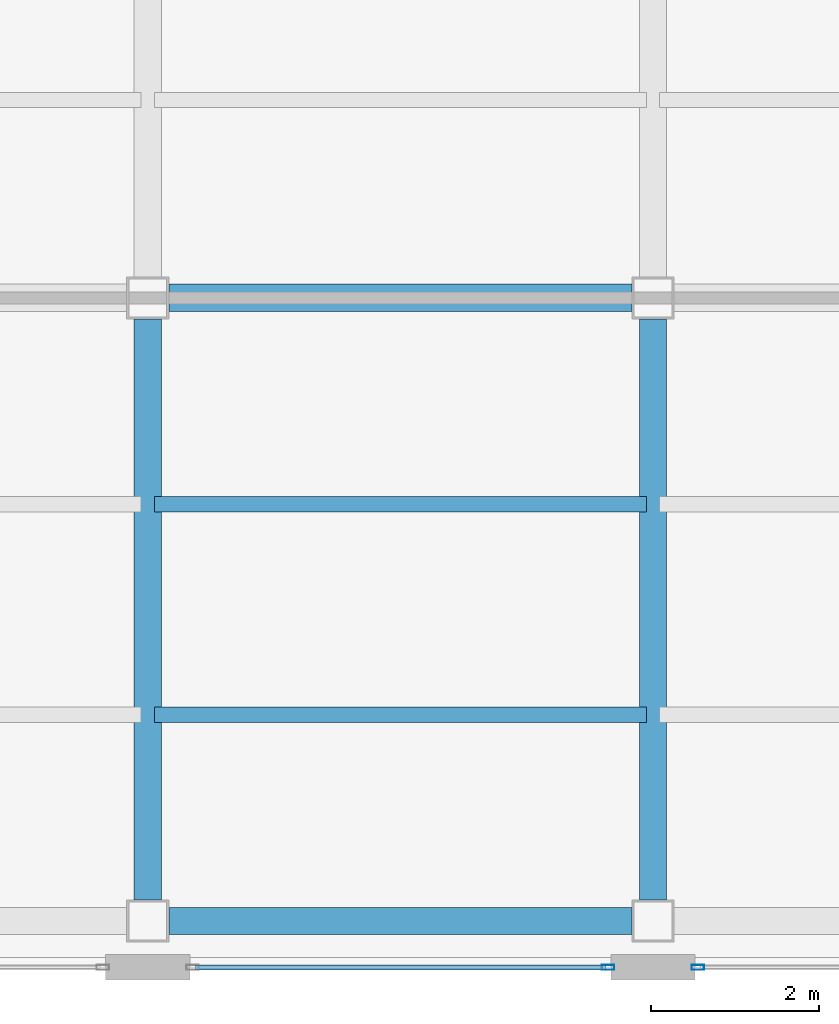
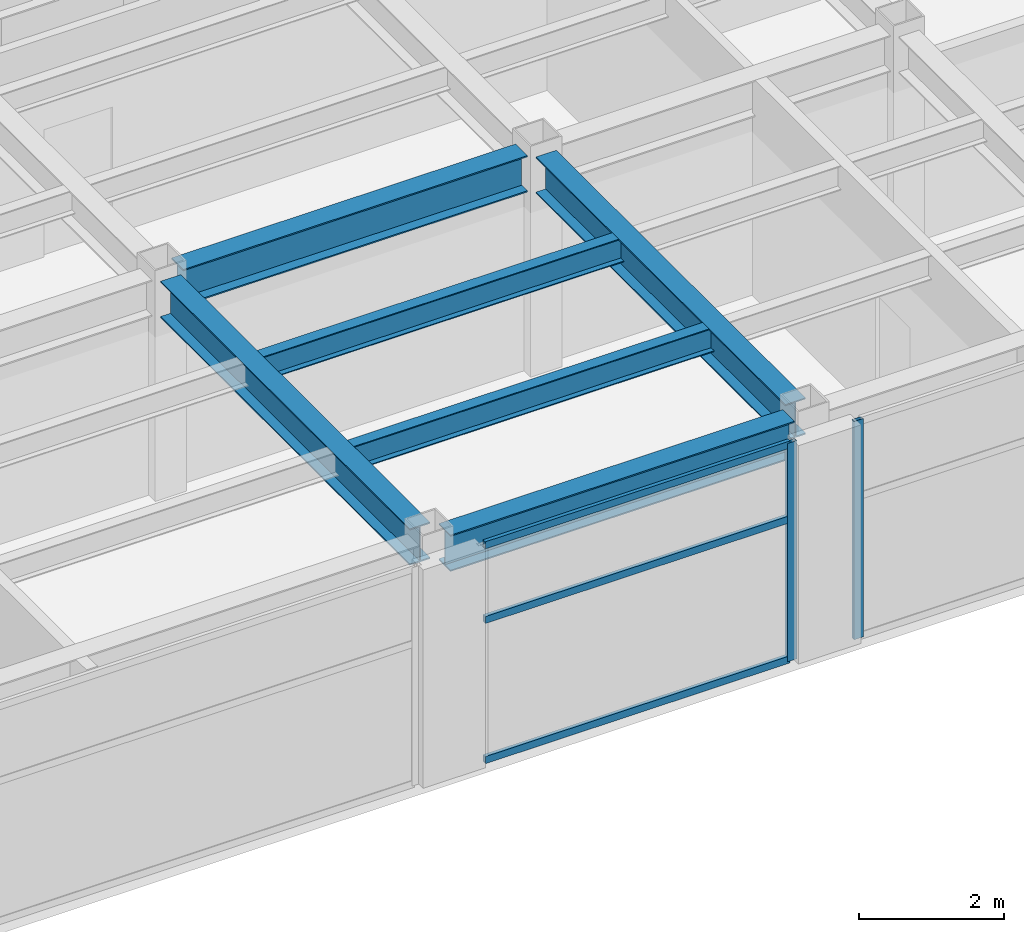
# One storey, part 5 of 15: 6 beams, 5 members, 2 elements without a shape of their own.
"""IFC4 building model written with IfcOpenShell, lengths in metres."""

from ifc_helpers import new_model, si_unit, direction, frame, origin, origin_2d, place, context, subcontext, project, spatial, hollow_rectangle, i_section, extrude, material, layer, layer_set, material_profile, profile_set, type_object, element, aggregate, save


model = new_model("IFC4")

# Units and contexts
model_context = context("Model", 3, precision=1e-05, world=origin(), true_north=direction((0.0, 1.0)))
body_context = subcontext(model_context, "Body", "Model", "MODEL_VIEW")
ifc_project = project(units=[si_unit("LENGTHUNIT", "METRE"), si_unit("AREAUNIT", "SQUARE_METRE"), si_unit("VOLUMEUNIT", "CUBIC_METRE"), si_unit("PLANEANGLEUNIT", "RADIAN"), si_unit("MASSUNIT", "GRAM", prefix="KILO")], contexts=[model_context])

# Site, building, storey
site_placement = place(None, origin())
site = spatial("IfcSite", under=ifc_project, at=site_placement, CompositionType="ELEMENT")
building_placement = place(site_placement, origin())
building = spatial("IfcBuilding", under=site, at=building_placement, Name="Mawjaban Terraces University", CompositionType="ELEMENT")
storey_placement = place(building_placement, frame((0.0, 0.0, 119.0)))
storey = spatial("IfcBuildingStorey", under=building, at=storey_placement, Name="L28", CompositionType="ELEMENT", Elevation=119.0)

# Beams
ifc_material_1 = material(Name="Steel ASTM A572 Grade 50", Category="steel")
ifc_material_profile_1 = material_profile(ifc_material_1, i_section(OverallWidth=0.324951171875, OverallDepth=0.615966796875, WebThickness=0.013916015625, FlangeThickness=0.021484375, at=origin_2d()), Name="W610X174")
ifc_profile_set_1 = profile_set([ifc_material_profile_1], Name="Steel ASTM A572 Grade 50")
beam_type_1 = type_object("IfcBeamType", Name="Beam_B_W610X174", PredefinedType="BEAM", material=ifc_profile_set_1)
for number, where, z_axis, x_axis, name in (
    (1, (46.25, 0.550048828125, 3.382080078125), (1.0, 0.0, 0.0), (0.0, 1.0, 0.0), "L28 Beam BM-L28-EW-02"),
    (2, (46.25, 7.949951171875, 3.382080078125), (1.0, 0.0, 0.0), (0.0, 1.0, 0.0), "L28 Beam BM-L28-EW-06"),
):
    element("IfcBeam", number, at=place(storey_placement, frame(where, z_axis=z_axis, x_axis=x_axis)), inside=storey, type_object=beam_type_1, Name=name, PredefinedType="BEAM", context=body_context, shape_type="SweptSolid", body=[
        extrude(i_section(OverallWidth=0.324951171875, OverallDepth=0.615966796875, WebThickness=0.013916015625, FlangeThickness=0.021484375, at=origin_2d()), origin(), (0.0, 0.0, 1.0), 5.5),
    ])
for number, where, z_axis, x_axis, name in (
    (3, (46.0, 0.800048828125, 3.382080078125), (0.0, 1.0, 0.0), (-1.0, 0.0, 0.0), "L28 Beam BM-L28-NS-12"),
    (4, (52.0, 0.800048828125, 3.382080078125), (0.0, 1.0, 0.0), (-1.0, 0.0, 0.0), "L28 Beam BM-L28-NS-14"),
):
    element("IfcBeam", number, at=place(storey_placement, frame(where, z_axis=z_axis, x_axis=x_axis)), inside=storey, type_object=beam_type_1, Name=name, PredefinedType="BEAM", context=body_context, shape_type="SweptSolid", body=[
        extrude(i_section(OverallWidth=0.324951171875, OverallDepth=0.615966796875, WebThickness=0.013916015625, FlangeThickness=0.021484375, at=origin_2d()), origin(), (0.0, 0.0, 1.0), 6.89990234375),
    ])
ifc_material_profile_2 = material_profile(ifc_material_1, i_section(OverallWidth=0.179931640625, OverallDepth=0.4130859375, WebThickness=0.009765625, FlangeThickness=0.01611328125, at=origin_2d()), Name="W410X74")
ifc_profile_set_2 = profile_set([ifc_material_profile_2], Name="Steel ASTM A572 Grade 50")
beam_type_2 = type_object("IfcBeamType", Name="Beam_J_W410X74", PredefinedType="JOIST", material=ifc_profile_set_2)
for number, where, z_axis, x_axis, name in (
    (5, (46.080078125, 3.0, 3.48291015625), (1.0, 0.0, 0.0), (0.0, 1.0, 0.0), "L28 Composite Joist JST-L28-02"),
    (6, (46.080078125, 5.5, 3.48291015625), (1.0, 0.0, 0.0), (0.0, 1.0, 0.0), "L28 Composite Joist JST-L28-06"),
):
    element("IfcBeam", number, at=place(storey_placement, frame(where, z_axis=z_axis, x_axis=x_axis)), inside=storey, type_object=beam_type_2, Name=name, PredefinedType="JOIST", context=body_context, shape_type="SweptSolid", body=[
        extrude(i_section(OverallWidth=0.179931640625, OverallDepth=0.4130859375, WebThickness=0.009765625, FlangeThickness=0.01611328125, at=origin_2d()), origin(), (0.0, 0.0, 1.0), 5.83984375),
    ])

# Curtain wall, member
ifc_material_2 = material(Name="Anodised aluminium 6063-T6 and solar-control low-E glass", Category="aluminium")
ifc_layer = layer(ifc_material_2, 0.1650390625)
ifc_layer_set = layer_set([ifc_layer], Name="Anodised aluminium 6063-T6 and solar-control low-E glass")
curtain_wall_type = type_object("IfcCurtainWallType", Name="CWSystem_04_EastWing", PredefinedType="NOTDEFINED", material=ifc_layer_set)
curtain_wall_1_placement = place(storey_placement, origin())
curtain_wall_1 = element("IfcCurtainWall", 7, at=curtain_wall_1_placement, inside=storey, type_object=curtain_wall_type, Name="L28 Curtain Wall CW-04 Run 1.3", PredefinedType="NOTDEFINED")
ifc_material_3 = material(Name="Anodised aluminium 6063-T6", Category="aluminium")
ifc_material_profile_3 = material_profile(ifc_material_3, hollow_rectangle(XDim=0.06005859375, YDim=0.14990234375, WallThickness=0.00390625, at=origin_2d()), Name="ALU150X60X4")
ifc_profile_set_3 = profile_set([ifc_material_profile_3], Name="Anodised aluminium 6063-T6")
member_type_1 = type_object("IfcMemberType", Name="Mullion_CW-04", PredefinedType="MULLION", material=ifc_profile_set_3)
member_1_placement = place(storey_placement, frame((51.467529296875, 0.0, 0.0), z_axis=(0.0, 0.0, 1.0), x_axis=(0.0, 1.0, 0.0)))
member_1 = element("IfcMember", 8, at=member_1_placement, type_object=member_type_1, Name="CW-04 mullion 2", PredefinedType="MULLION", context=body_context, shape_type="SweptSolid", body=[
    extrude(hollow_rectangle(XDim=0.06005859375, YDim=0.14990234375, WallThickness=0.00390625, at=origin_2d()), origin(), (0.0, 0.0, 1.0), 3.68994140625),
])

curtain_wall_2_placement = place(storey_placement, origin())
curtain_wall_2 = element("IfcCurtainWall", 9, at=curtain_wall_2_placement, inside=storey, type_object=curtain_wall_type, Name="L28 Curtain Wall CW-04 Run 1.4", PredefinedType="NOTDEFINED")
member_2_placement = place(storey_placement, frame((52.532470703125, 0.0, 0.0), z_axis=(0.0, 0.0, 1.0), x_axis=(0.0, 1.0, 0.0)))
member_2 = element("IfcMember", 10, at=member_2_placement, type_object=member_type_1, Name="CW-04 mullion 1", PredefinedType="MULLION", context=body_context, shape_type="SweptSolid", body=[
    extrude(hollow_rectangle(XDim=0.06005859375, YDim=0.14990234375, WallThickness=0.00390625, at=origin_2d()), origin(), (0.0, 0.0, 1.0), 3.68994140625),
])
aggregate(curtain_wall_2, [member_2])

# Member
ifc_material_profile_4 = material_profile(ifc_material_3, hollow_rectangle(XDim=0.06005859375, YDim=0.1201171875, WallThickness=0.00341796875, at=origin_2d()), Name="ALU120X60X3.5")
ifc_profile_set_4 = profile_set([ifc_material_profile_4], Name="Anodised aluminium 6063-T6")
member_type_2 = type_object("IfcMemberType", Name="Transom_CW-04", PredefinedType="NOTDEFINED", material=ifc_profile_set_4)
member_3_placement = place(storey_placement, frame((46.56494140625, 0.0, 0.030029296875), z_axis=(1.0, 0.0, 0.0), x_axis=(0.0, 1.0, 0.0)))
member_3 = element("IfcMember", 11, at=member_3_placement, type_object=member_type_2, Name="CW-04 transom 1.1", ObjectType="TRANSOM", PredefinedType="USERDEFINED", context=body_context, shape_type="SweptSolid", body=[
    extrude(hollow_rectangle(XDim=0.06005859375, YDim=0.1201171875, WallThickness=0.00341796875, at=origin_2d()), origin(), (0.0, 0.0, 1.0), 4.8701171875),
])

member_4_placement = place(storey_placement, frame((46.56494140625, 0.0, 2.39794921875), z_axis=(1.0, 0.0, 0.0), x_axis=(0.0, 1.0, 0.0)))
member_4 = element("IfcMember", 12, at=member_4_placement, type_object=member_type_2, Name="CW-04 transom 1.2", ObjectType="TRANSOM", PredefinedType="USERDEFINED", context=body_context, shape_type="SweptSolid", body=[
    extrude(hollow_rectangle(XDim=0.06005859375, YDim=0.1201171875, WallThickness=0.00341796875, at=origin_2d()), origin(), (0.0, 0.0, 1.0), 4.8701171875),
])

member_5_placement = place(storey_placement, frame((46.56494140625, 0.0, 3.659912109375), z_axis=(1.0, 0.0, 0.0), x_axis=(0.0, 1.0, 0.0)))
member_5 = element("IfcMember", 13, at=member_5_placement, type_object=member_type_2, Name="CW-04 transom 1.3", ObjectType="TRANSOM", PredefinedType="USERDEFINED", context=body_context, shape_type="SweptSolid", body=[
    extrude(hollow_rectangle(XDim=0.06005859375, YDim=0.1201171875, WallThickness=0.00341796875, at=origin_2d()), origin(), (0.0, 0.0, 1.0), 4.8701171875),
])

aggregate(curtain_wall_1, [member_1, member_3, member_4, member_5])

save(model, "model.ifc")
